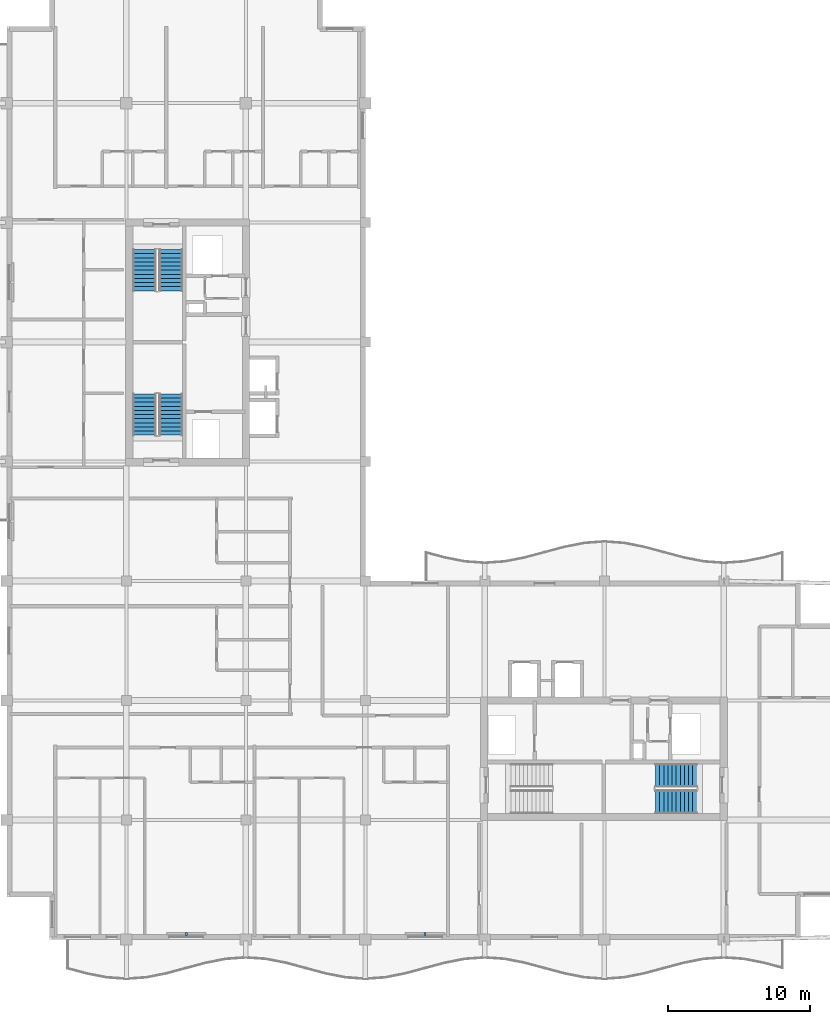
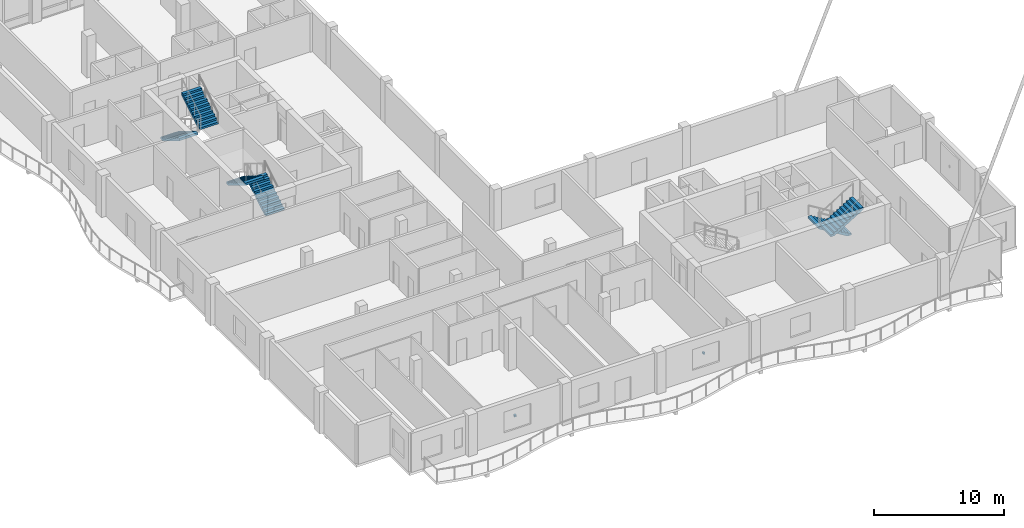
# One storey, part 12 of 17: 6 stair flights, 2 discrete accessories, 3 elements without a shape of their own.
"""IFC4 building model written with IfcOpenShell, lengths in metres."""

from ifc_helpers import new_model, si_unit, direction, frame, origin, origin_2d, place, context, subcontext, project, spatial, polyline, rectangle, outline, extrude, material, type_object, element, aggregate, save


model = new_model("IFC4")

# Units and contexts
model_context = context("Model", 3, precision=1e-05, world=origin(), true_north=direction((0.0, 1.0)))
body_context = subcontext(model_context, "Body", "Model", "MODEL_VIEW")
ifc_project = project(units=[si_unit("LENGTHUNIT", "METRE"), si_unit("AREAUNIT", "SQUARE_METRE"), si_unit("VOLUMEUNIT", "CUBIC_METRE"), si_unit("PLANEANGLEUNIT", "RADIAN"), si_unit("MASSUNIT", "GRAM", prefix="KILO")], contexts=[model_context])

# Site, building, storey
site_placement = place(None, origin())
site = spatial("IfcSite", under=ifc_project, at=site_placement, CompositionType="ELEMENT")
building_placement = place(site_placement, origin())
building = spatial("IfcBuilding", under=site, at=building_placement, Name="Koriwani Terraces Tower", CompositionType="ELEMENT")
storey_placement = place(building_placement, frame((0.0, 0.0, 332.0)))
storey = spatial("IfcBuildingStorey", under=building, at=storey_placement, Name="L82", CompositionType="ELEMENT", Elevation=332.0)

# Stair, stair flights
ifc_material_1 = material(Name="Concrete C40/50", Category="concrete")
stair_type = type_object("IfcStairType", Name="STAIR_CORE_DOGLEG_1650", PredefinedType="TWO_STRAIGHT_RUN_STAIR", material=ifc_material_1)
stair_1_placement = place(storey_placement, origin())
stair_1 = element("IfcStair", 1, at=stair_1_placement, inside=storey, type_object=stair_type, Name="L82 West Core Exit Stair 1", PredefinedType="HALF_TURN_STAIR")
stair_flight_type = type_object("IfcStairFlightType", Name="STAIR_FLIGHT_RC_1650", PredefinedType="STRAIGHT", material=ifc_material_1)
stair_flight_1_placement = place(storey_placement, frame((19.925048828125, 43.85009765625, 0.0), z_axis=(0.0, 0.0, 1.0), x_axis=(0.0, 1.0, 0.0)))
stair_flight_1 = element("IfcStairFlight", 2, at=stair_flight_1_placement, type_object=stair_flight_type, Name="ST-W1 flight 1", NumberOfRisers=11, NumberOfTreads=10, PredefinedType="STRAIGHT", RiserHeight=0.177272727, TreadLength=0.29, context=body_context, shape_type="SweptSolid", body=[
    extrude(outline(polyline([(0.0, 0.0), (0.0, 0.17724609375), (0.2900390625, 0.17724609375), (0.2900390625, 0.3544921875), (0.580078125, 0.3544921875), (0.580078125, 0.53173828125), (0.8701171875, 0.53173828125), (0.8701171875, 0.708984375), (1.159912109375, 0.708984375), (1.159912109375, 0.886474609375), (1.449951171875, 0.886474609375), (1.449951171875, 1.063720703125), (1.739990234375, 1.063720703125), (1.739990234375, 1.240966796875), (2.030029296875, 1.240966796875), (2.030029296875, 1.418212890625), (2.320068359375, 1.418212890625), (2.320068359375, 1.595458984375), (2.610107421875, 1.595458984375), (2.610107421875, 1.772705078125), (2.89990234375, 1.772705078125), (2.89990234375, 1.949951171875), (2.89990234375, 1.561767578125), (0.344970703125, 0.0), (0.0, 0.0)])), frame((0.0, 0.824951171875, 0.0), z_axis=(0.0, -1.0, 0.0), x_axis=(1.0, 0.0, 0.0)), (0.0, 0.0, 1.0), 1.64990234375),
])
stair_flight_2_placement = place(storey_placement, frame((18.074951171875, 46.75, 1.949951171875), z_axis=(0.0, 0.0, 1.0), x_axis=(0.0, -1.0, 0.0)))
stair_flight_2 = element("IfcStairFlight", 3, at=stair_flight_2_placement, type_object=stair_flight_type, Name="ST-W1 flight 2", NumberOfRisers=11, NumberOfTreads=10, PredefinedType="STRAIGHT", RiserHeight=0.177272727, TreadLength=0.29, context=body_context, shape_type="SweptSolid", body=[
    extrude(outline(polyline([(0.0, 0.0), (0.0, 0.17724609375), (0.2900390625, 0.17724609375), (0.2900390625, 0.3544921875), (0.580078125, 0.3544921875), (0.580078125, 0.53173828125), (0.8701171875, 0.53173828125), (0.8701171875, 0.708984375), (1.159912109375, 0.708984375), (1.159912109375, 0.886474609375), (1.449951171875, 0.886474609375), (1.449951171875, 1.063720703125), (1.739990234375, 1.063720703125), (1.739990234375, 1.240966796875), (2.030029296875, 1.240966796875), (2.030029296875, 1.418212890625), (2.320068359375, 1.418212890625), (2.320068359375, 1.595458984375), (2.610107421875, 1.595458984375), (2.610107421875, 1.772705078125), (2.89990234375, 1.772705078125), (2.89990234375, 1.949951171875), (2.89990234375, 1.561767578125), (0.344970703125, 0.0), (0.0, 0.0)])), frame((0.0, 0.824951171875, 0.0), z_axis=(0.0, -1.0, 0.0), x_axis=(1.0, 0.0, 0.0)), (0.0, 0.0, 1.0), 1.64990234375),
])
aggregate(stair_1, [stair_flight_1, stair_flight_2])

stair_2_placement = place(storey_placement, origin())
stair_2 = element("IfcStair", 4, at=stair_2_placement, inside=storey, type_object=stair_type, Name="L82 West Core Exit Stair 2", PredefinedType="HALF_TURN_STAIR")
stair_flight_3_placement = place(storey_placement, frame((18.074951171875, 56.89990234375, 0.0), z_axis=(0.0, 0.0, 1.0), x_axis=(0.0, -1.0, 0.0)))
stair_flight_3 = element("IfcStairFlight", 5, at=stair_flight_3_placement, type_object=stair_flight_type, Name="ST-W2 flight 1", NumberOfRisers=11, NumberOfTreads=10, PredefinedType="STRAIGHT", RiserHeight=0.177272727, TreadLength=0.29, context=body_context, shape_type="SweptSolid", body=[
    extrude(outline(polyline([(0.0, 0.0), (0.0, 0.17724609375), (0.2900390625, 0.17724609375), (0.2900390625, 0.3544921875), (0.580078125, 0.3544921875), (0.580078125, 0.53173828125), (0.8701171875, 0.53173828125), (0.8701171875, 0.708984375), (1.159912109375, 0.708984375), (1.159912109375, 0.886474609375), (1.449951171875, 0.886474609375), (1.449951171875, 1.063720703125), (1.739990234375, 1.063720703125), (1.739990234375, 1.240966796875), (2.030029296875, 1.240966796875), (2.030029296875, 1.418212890625), (2.320068359375, 1.418212890625), (2.320068359375, 1.595458984375), (2.610107421875, 1.595458984375), (2.610107421875, 1.772705078125), (2.89990234375, 1.772705078125), (2.89990234375, 1.949951171875), (2.89990234375, 1.561767578125), (0.344970703125, 0.0), (0.0, 0.0)])), frame((0.0, 0.824951171875, 0.0), z_axis=(0.0, -1.0, 0.0), x_axis=(1.0, 0.0, 0.0)), (0.0, 0.0, 1.0), 1.64990234375),
])
stair_flight_4_placement = place(storey_placement, frame((19.925048828125, 54.0, 1.949951171875), z_axis=(0.0, 0.0, 1.0), x_axis=(0.0, 1.0, 0.0)))
stair_flight_4 = element("IfcStairFlight", 6, at=stair_flight_4_placement, type_object=stair_flight_type, Name="ST-W2 flight 2", NumberOfRisers=11, NumberOfTreads=10, PredefinedType="STRAIGHT", RiserHeight=0.177272727, TreadLength=0.29, context=body_context, shape_type="SweptSolid", body=[
    extrude(outline(polyline([(0.0, 0.0), (0.0, 0.17724609375), (0.2900390625, 0.17724609375), (0.2900390625, 0.3544921875), (0.580078125, 0.3544921875), (0.580078125, 0.53173828125), (0.8701171875, 0.53173828125), (0.8701171875, 0.708984375), (1.159912109375, 0.708984375), (1.159912109375, 0.886474609375), (1.449951171875, 0.886474609375), (1.449951171875, 1.063720703125), (1.739990234375, 1.063720703125), (1.739990234375, 1.240966796875), (2.030029296875, 1.240966796875), (2.030029296875, 1.418212890625), (2.320068359375, 1.418212890625), (2.320068359375, 1.595458984375), (2.610107421875, 1.595458984375), (2.610107421875, 1.772705078125), (2.89990234375, 1.772705078125), (2.89990234375, 1.949951171875), (2.89990234375, 1.561767578125), (0.344970703125, 0.0), (0.0, 0.0)])), frame((0.0, 0.824951171875, 0.0), z_axis=(0.0, -1.0, 0.0), x_axis=(1.0, 0.0, 0.0)), (0.0, 0.0, 1.0), 1.64990234375),
])
aggregate(stair_2, [stair_flight_3, stair_flight_4])

stair_3_placement = place(storey_placement, origin())
stair_3 = element("IfcStair", 7, at=stair_3_placement, inside=storey, type_object=stair_type, Name="L82 East Core Exit Stair 2", PredefinedType="HALF_TURN_STAIR")
stair_flight_5_placement = place(storey_placement, frame((56.89990234375, 19.925048828125, 0.0), z_axis=(0.0, 0.0, 1.0), x_axis=(-1.0, 0.0, 0.0)))
stair_flight_5 = element("IfcStairFlight", 8, at=stair_flight_5_placement, type_object=stair_flight_type, Name="ST-E2 flight 1", NumberOfRisers=11, NumberOfTreads=10, PredefinedType="STRAIGHT", RiserHeight=0.177272727, TreadLength=0.29, context=body_context, shape_type="SweptSolid", body=[
    extrude(outline(polyline([(0.0, 0.0), (0.0, 0.17724609375), (0.2900390625, 0.17724609375), (0.2900390625, 0.3544921875), (0.580078125, 0.3544921875), (0.580078125, 0.53173828125), (0.8701171875, 0.53173828125), (0.8701171875, 0.708984375), (1.159912109375, 0.708984375), (1.159912109375, 0.886474609375), (1.449951171875, 0.886474609375), (1.449951171875, 1.063720703125), (1.739990234375, 1.063720703125), (1.739990234375, 1.240966796875), (2.030029296875, 1.240966796875), (2.030029296875, 1.418212890625), (2.320068359375, 1.418212890625), (2.320068359375, 1.595458984375), (2.610107421875, 1.595458984375), (2.610107421875, 1.772705078125), (2.89990234375, 1.772705078125), (2.89990234375, 1.949951171875), (2.89990234375, 1.561767578125), (0.344970703125, 0.0), (0.0, 0.0)])), frame((0.0, 0.824951171875, 0.0), z_axis=(0.0, -1.0, 0.0), x_axis=(1.0, 0.0, 0.0)), (0.0, 0.0, 1.0), 1.64990234375),
])
stair_flight_6_placement = place(storey_placement, frame((54.0, 18.074951171875, 1.949951171875), z_axis=(0.0, 0.0, 1.0), x_axis=(1.0, 0.0, 0.0)))
stair_flight_6 = element("IfcStairFlight", 9, at=stair_flight_6_placement, type_object=stair_flight_type, Name="ST-E2 flight 2", NumberOfRisers=11, NumberOfTreads=10, PredefinedType="STRAIGHT", RiserHeight=0.177272727, TreadLength=0.29, context=body_context, shape_type="SweptSolid", body=[
    extrude(outline(polyline([(0.0, 0.0), (0.0, 0.17724609375), (0.2900390625, 0.17724609375), (0.2900390625, 0.3544921875), (0.580078125, 0.3544921875), (0.580078125, 0.53173828125), (0.8701171875, 0.53173828125), (0.8701171875, 0.708984375), (1.159912109375, 0.708984375), (1.159912109375, 0.886474609375), (1.449951171875, 0.886474609375), (1.449951171875, 1.063720703125), (1.739990234375, 1.063720703125), (1.739990234375, 1.240966796875), (2.030029296875, 1.240966796875), (2.030029296875, 1.418212890625), (2.320068359375, 1.418212890625), (2.320068359375, 1.595458984375), (2.610107421875, 1.595458984375), (2.610107421875, 1.772705078125), (2.89990234375, 1.772705078125), (2.89990234375, 1.949951171875), (2.89990234375, 1.561767578125), (0.344970703125, 0.0), (0.0, 0.0)])), frame((0.0, 0.824951171875, 0.0), z_axis=(0.0, -1.0, 0.0), x_axis=(1.0, 0.0, 0.0)), (0.0, 0.0, 1.0), 1.64990234375),
])
aggregate(stair_3, [stair_flight_5, stair_flight_6])

# Discrete accessories
ifc_material_2 = material(Name="Steel ASTM A572 Grade 50", Category="steel")
discrete_accessory_type = type_object("IfcDiscreteAccessoryType", Name="BAGUETTE_STANDOFF_BRACKET", PredefinedType="BRACKET", material=ifc_material_2)
for number, where, z_axis, x_axis, name in (
    (10, (21.0, 8.7900390625, 1.7451171875), (0.0, 0.0, 1.0), (-1.0, 0.0, 0.0), "L82 Terracotta Baguette Bracket (S-3)"),
    (11, (37.800048828125, 8.7900390625, 1.7451171875), (0.0, 0.0, 1.0), (-1.0, 0.0, 0.0), "L82 Terracotta Baguette Bracket (S-9)"),
):
    element("IfcDiscreteAccessory", number, at=place(storey_placement, frame(where, z_axis=z_axis, x_axis=x_axis)), inside=storey, type_object=discrete_accessory_type, Name=name, PredefinedType="BRACKET", context=body_context, shape_type="SweptSolid", body=[
        extrude(rectangle(XDim=0.159912109375, YDim=0.199951171875, at=origin_2d()), origin(), (0.0, 0.0, 1.0), 0.179931640625),
    ])

save(model, "model.ifc")
